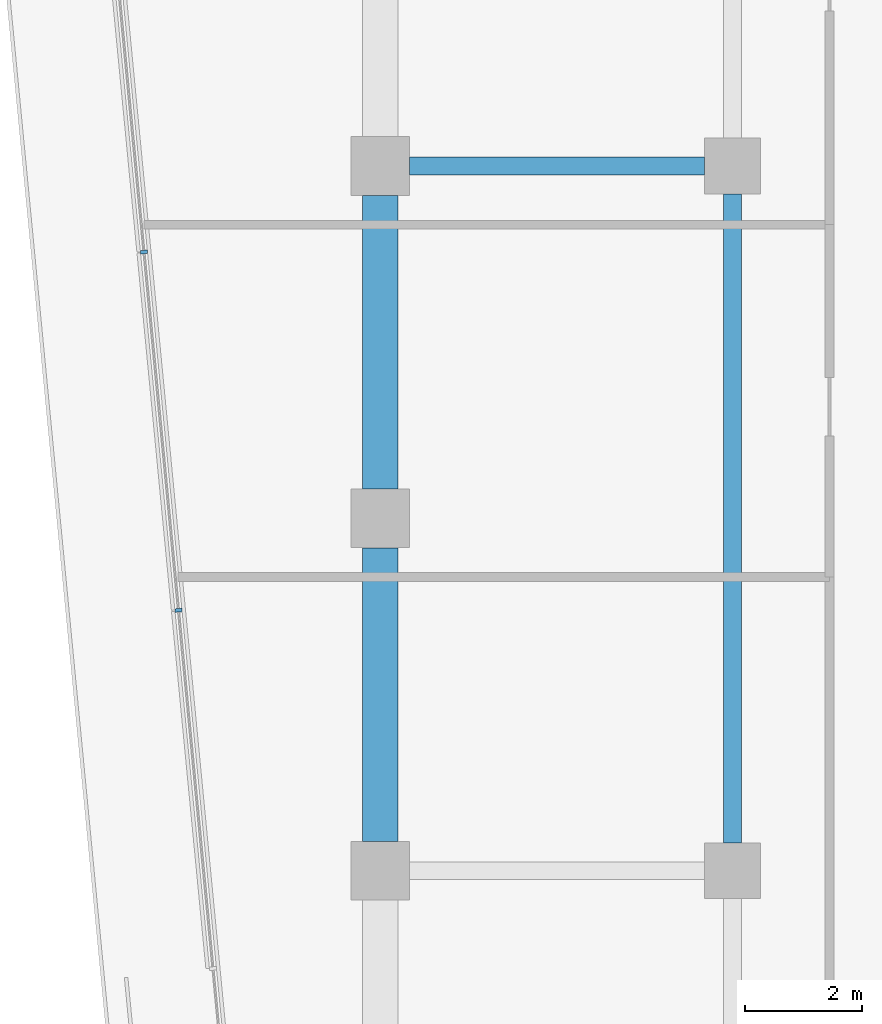
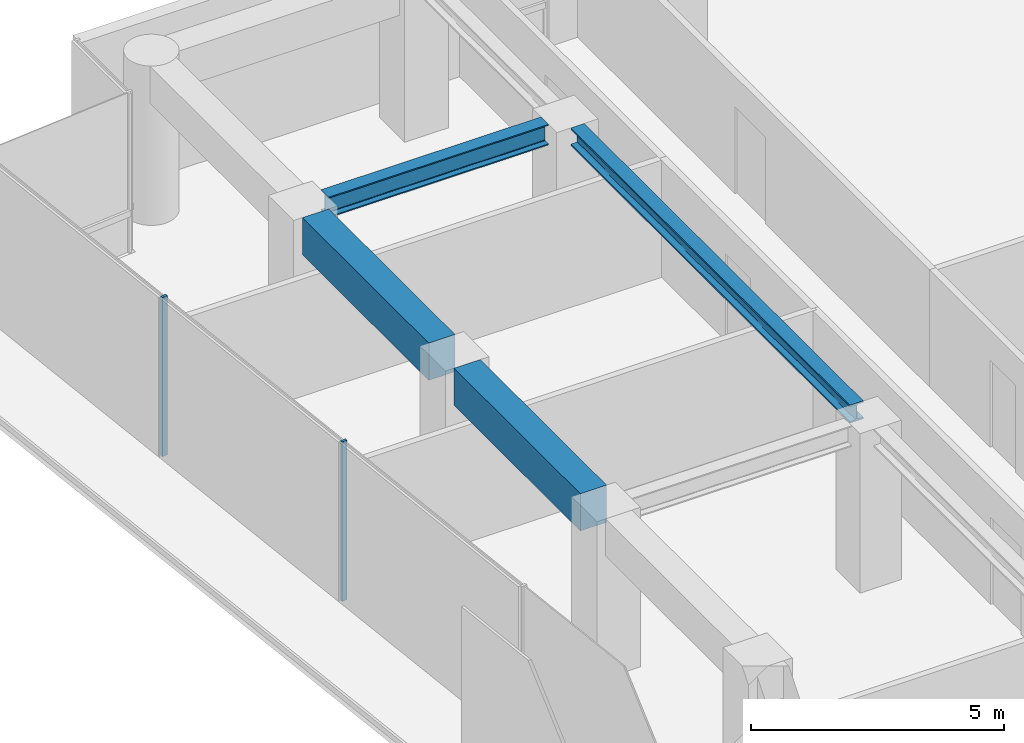
# One storey, part 14 of 28: 4 beams, 2 members, 1 element without a shape of its own.
"""IFC4 building model written with IfcOpenShell, lengths in metres."""

from ifc_helpers import new_model, si_unit, direction, frame, origin, origin_2d, place, context, subcontext, project, spatial, rectangle, i_section, extrude, material, layer, layer_set, material_profile, profile_set, type_object, element, aggregate, save


model = new_model("IFC4")

# Units and contexts
model_context = context("Model", 3, precision=1e-05, world=origin(), true_north=direction((0.0, 1.0)))
body_context = subcontext(model_context, "Body", "Model", "MODEL_VIEW")
ifc_project = project(units=[si_unit("LENGTHUNIT", "METRE"), si_unit("AREAUNIT", "SQUARE_METRE"), si_unit("VOLUMEUNIT", "CUBIC_METRE"), si_unit("PLANEANGLEUNIT", "RADIAN"), si_unit("MASSUNIT", "GRAM", prefix="KILO")], contexts=[model_context])

# Site, building, storey
site_placement = place(None, origin())
site = spatial("IfcSite", under=ifc_project, at=site_placement, CompositionType="ELEMENT")
building_placement = place(site_placement, origin())
building = spatial("IfcBuilding", under=site, at=building_placement, Name="Welwitschia Terrace Campus", CompositionType="ELEMENT")
storey_placement = place(building_placement, frame((0.0, 0.0, 87.800048828125)))
storey = spatial("IfcBuildingStorey", under=building, at=storey_placement, Name="L19", CompositionType="ELEMENT", Elevation=87.800048828125)

# Beam
ifc_material_1 = material(Name="Steel S355", Category="steel")
ifc_material_profile_1 = material_profile(ifc_material_1, i_section(OverallWidth=0.306884765625, OverallDepth=0.431884765625, WebThickness=0.02099609375, FlangeThickness=0.0400390625, FilletRadius=0.027099609375, at=origin_2d()))
ifc_profile_set_1 = profile_set([ifc_material_profile_1], Name="Steel S355")
beam_type_1 = type_object("IfcBeamType", Name="Interior girder HE 400 M", PredefinedType="BEAM", material=ifc_profile_set_1)
beam_1_placement = place(storey_placement, frame((6.0, 52.4755859375, 3.634033203125), z_axis=(0.0, 1.0, 0.0), x_axis=(-1.0, 0.0, 0.0)))
element("IfcBeam", 1, at=beam_1_placement, inside=storey, type_object=beam_type_1, Name="Girder GB3", PredefinedType="BEAM", context=body_context, shape_type="SweptSolid", body=[
    extrude(i_section(OverallWidth=0.306884765625, OverallDepth=0.431884765625, WebThickness=0.02099609375, FlangeThickness=0.0400390625, FilletRadius=0.027099609375, at=origin_2d()), origin(), (0.0, 0.0, 1.0), 11.048828125),
])

# Curtain wall, members
ifc_material_2 = material(Name="Bronze anodised aluminium", Category="aluminium")
ifc_layer = layer(ifc_material_2, 0.1201171875)
ifc_layer_set = layer_set([ifc_layer], Name="Bronze anodised aluminium")
curtain_wall_type = type_object("IfcCurtainWallType", Name="Curtain wall CW2 tower 6000", PredefinedType="NOTDEFINED", material=ifc_layer_set)
curtain_wall_placement = place(storey_placement, origin())
curtain_wall = element("IfcCurtainWall", 2, at=curtain_wall_placement, inside=storey, type_object=curtain_wall_type, Name="CW L19.0.0", PredefinedType="NOTDEFINED")
ifc_material_3 = material(Name="Bronze anodised aluminium", Category="aluminium")
ifc_material_profile_2 = material_profile(ifc_material_3, rectangle(XDim=0.1201171875, YDim=0.06005859375, at=origin_2d()))
ifc_profile_set_2 = profile_set([ifc_material_profile_2], Name="Bronze anodised aluminium")
member_type = type_object("IfcMemberType", Name="Mullion 60x120", PredefinedType="MULLION", material=ifc_profile_set_2)
member_1_placement = place(storey_placement, frame((-4.0224609375, 62.53466796875, 0.0), z_axis=(0.0, 0.0, 1.0), x_axis=(0.995396198367, 0.09584575252, 0.0)))
member_1 = element("IfcMember", 3, at=member_1_placement, type_object=member_type, Name="Mullion L19.0.0.1", PredefinedType="MULLION", context=body_context, shape_type="SweptSolid", body=[
    extrude(rectangle(XDim=0.1201171875, YDim=0.06005859375, at=origin_2d()), origin(), (0.0, 0.0, 1.0), 3.849853515625),
])
member_2_placement = place(storey_placement, frame((-3.43505859375, 56.435302734375, 0.0), z_axis=(0.0, 0.0, 1.0), x_axis=(0.995396198367, 0.09584575252, 0.0)))
member_2 = element("IfcMember", 4, at=member_2_placement, type_object=member_type, Name="Mullion L19.0.0.2", PredefinedType="MULLION", context=body_context, shape_type="SweptSolid", body=[
    extrude(rectangle(XDim=0.1201171875, YDim=0.06005859375, at=origin_2d()), origin(), (0.0, 0.0, 1.0), 3.849853515625),
])
aggregate(curtain_wall, [member_1, member_2])

# Beams
ifc_material_4 = material(Name="Steel S355", Category="steel")
ifc_material_profile_3 = material_profile(ifc_material_4, i_section(OverallWidth=0.300048828125, OverallDepth=0.5, WebThickness=0.014404296875, FlangeThickness=0.028076171875, FilletRadius=0.027099609375, at=origin_2d()))
ifc_profile_set_3 = profile_set([ifc_material_profile_3], Name="Steel S355")
beam_type_2 = type_object("IfcBeamType", Name="Primary beam HE 500 B", PredefinedType="BEAM", material=ifc_profile_set_3)
beam_2_placement = place(storey_placement, frame((0.50048828125, 64.0, 3.599853515625), z_axis=(1.0, 0.0, 0.0), x_axis=(0.0, 1.0, 0.0)))
element("IfcBeam", 5, at=beam_2_placement, inside=storey, type_object=beam_type_2, Name="Primary beam PB3", PredefinedType="BEAM", context=body_context, shape_type="SweptSolid", body=[
    extrude(i_section(OverallWidth=0.300048828125, OverallDepth=0.5, WebThickness=0.014404296875, FlangeThickness=0.028076171875, FilletRadius=0.027099609375, at=origin_2d()), origin(), (0.0, 0.0, 1.0), 5.02392578125),
])
ifc_material_5 = material(Name="Concrete C60/75", Category="concrete")
ifc_material_profile_4 = material_profile(ifc_material_5, rectangle(XDim=0.60009765625, YDim=0.89990234375, at=origin_2d()))
ifc_profile_set_4 = profile_set([ifc_material_profile_4], Name="Concrete C60/75")
beam_type_3 = type_object("IfcBeamType", Name="Ring spandrel 600x900", PredefinedType="SPANDREL", material=ifc_profile_set_4)
for number, where, z_axis, x_axis, name in (
    (6, (0.0, 63.49951171875, 3.39990234375), (0.0, -1.0, 0.0), (1.0, 0.0, 0.0), "Spandrel SP2"),
    (7, (0.0, 57.49951171875, 3.39990234375), (0.0, -1.0, 0.0), (1.0, 0.0, 0.0), "Spandrel SP2"),
):
    element("IfcBeam", number, at=place(storey_placement, frame(where, z_axis=z_axis, x_axis=x_axis)), inside=storey, type_object=beam_type_3, Name=name, PredefinedType="SPANDREL", context=body_context, shape_type="SweptSolid", body=[
        extrude(rectangle(XDim=0.60009765625, YDim=0.89990234375, at=origin_2d()), origin(), (0.0, 0.0, 1.0), 4.9990234375),
    ])

save(model, "model.ifc")
